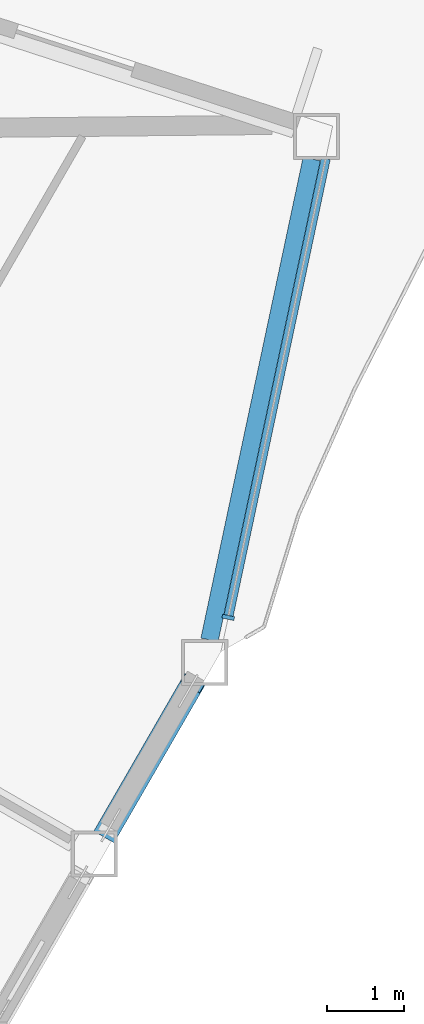
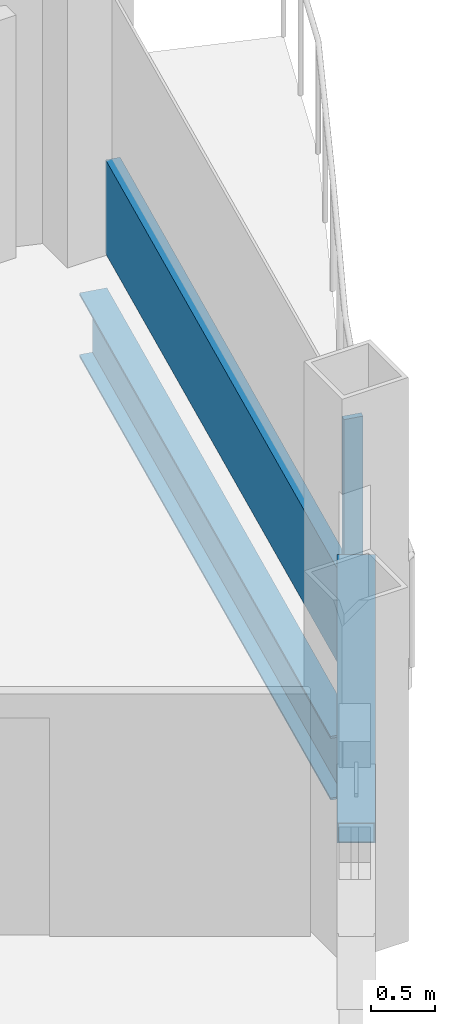
# One storey, part 8 of 27: 3 members, 1 beam, 1 element without a shape of its own.
"""IFC4 building model written with IfcOpenShell, lengths in metres."""

from ifc_helpers import new_model, si_unit, direction, frame, origin, origin_2d, place, context, subcontext, project, spatial, rectangle, hollow_rectangle, i_section, extrude, material, layer, layer_set, material_profile, profile_set, type_object, element, aggregate, save


model = new_model("IFC4")

# Units and contexts
model_context = context("Model", 3, precision=1e-05, world=origin(), true_north=direction((0.0, 1.0)))
body_context = subcontext(model_context, "Body", "Model", "MODEL_VIEW")
ifc_project = project(units=[si_unit("LENGTHUNIT", "METRE"), si_unit("AREAUNIT", "SQUARE_METRE"), si_unit("VOLUMEUNIT", "CUBIC_METRE"), si_unit("PLANEANGLEUNIT", "RADIAN"), si_unit("MASSUNIT", "GRAM", prefix="KILO")], contexts=[model_context])

# Site, building, storey
site_placement = place(None, origin())
site = spatial("IfcSite", under=ifc_project, at=site_placement, CompositionType="ELEMENT")
building_placement = place(site_placement, origin())
building = spatial("IfcBuilding", under=site, at=building_placement, Name="Cormorant Prow Tower", CompositionType="ELEMENT")
storey_placement = place(building_placement, frame((0.0, 0.0, 332.39990234375)))
storey = spatial("IfcBuildingStorey", under=building, at=storey_placement, Name="L74", CompositionType="ELEMENT", Elevation=332.39990234375)

# Member
ifc_material_1 = material(Name="Structural steel ASTM A500 Gr C", Category="steel")
ifc_material_profile_1 = material_profile(ifc_material_1, hollow_rectangle(XDim=0.3046875, YDim=0.3046875, WallThickness=0.01171875, at=origin_2d()), Name="HSS12x12x1/2")
ifc_profile_set_1 = profile_set([ifc_material_profile_1], Name="Structural steel ASTM A500 Gr C")
member_type_1 = type_object("IfcMemberType", Name="Chamfer brace HSS12x12x1/2", PredefinedType="BRACE", material=ifc_profile_set_1)
member_1_placement = place(storey_placement, frame((27.589599609375, -15.5654296875, 0.7412109375), z_axis=(0.456265706889, 0.790324476185, 0.408911759503), x_axis=(-0.866038851724, 0.499976706761, 0.0)))
element("IfcMember", 1, at=member_1_placement, inside=storey, type_object=member_type_1, Name="Chamfer brace BR3 at ESE01 L74", PredefinedType="BRACE", context=body_context, shape_type="SweptSolid", body=[
    extrude(hollow_rectangle(XDim=0.3046875, YDim=0.3046875, WallThickness=0.01171875, at=origin_2d()), origin(), (0.0, 0.0, 1.0), 2.459228515625),
])

# Curtain wall, members
ifc_material_2 = material(Name="Aluminium 6063-T6", Category="aluminium")
ifc_layer = layer(ifc_material_2, 0.159912109375)
ifc_layer_set = layer_set([ifc_layer], Name="Aluminium 6063-T6")
curtain_wall_type = type_object("IfcCurtainWallType", Name="Residential unitised curtain wall 160", PredefinedType="NOTDEFINED", material=ifc_layer_set)
curtain_wall_placement = place(storey_placement, origin())
curtain_wall = element("IfcCurtainWall", 2, at=curtain_wall_placement, inside=storey, type_object=curtain_wall_type, Name="Residential curtain wall ENE00", PredefinedType="NOTDEFINED")
ifc_material_3 = material(Name="Aluminium 6063-T6", Category="aluminium")
ifc_material_profile_2 = material_profile(ifc_material_3, rectangle(XDim=0.159912109375, YDim=0.050048828125, at=origin_2d()), Name="Residential mullion 50x160")
ifc_profile_set_2 = profile_set([ifc_material_profile_2], Name="Aluminium 6063-T6")
member_type_2 = type_object("IfcMemberType", Name="Residential mullion 50x160", PredefinedType="MULLION", material=ifc_profile_set_2)
member_2_placement = place(storey_placement, frame((29.175048828125, -12.7626953125, 0.0), z_axis=(0.0, 0.0, 1.0), x_axis=(-0.978147621523, 0.207911593013, 0.0)))
member_2 = element("IfcMember", 3, at=member_2_placement, type_object=member_type_2, Name="Residential mullion ENE00", PredefinedType="MULLION", context=body_context, shape_type="SweptSolid", body=[
    extrude(rectangle(XDim=0.159912109375, YDim=0.050048828125, at=origin_2d()), origin(), (0.0, 0.0, 1.0), 2.488037109375),
])
ifc_material_4 = material(Name="Terracotta", Category="masonry")
ifc_material_profile_3 = material_profile(ifc_material_4, rectangle(XDim=0.1201171875, YDim=0.89990234375, at=origin_2d()), Name="Residential terracotta spandrel rail 120x900")
ifc_profile_set_3 = profile_set([ifc_material_profile_3], Name="Terracotta")
member_type_3 = type_object("IfcMemberType", Name="Residential terracotta spandrel rail 120x900", PredefinedType="USERDEFINED", material=ifc_profile_set_3)
member_3_placement = place(storey_placement, frame((29.18017578125, -12.73828125, 0.4501953125), z_axis=(0.207912112226, 0.978147511161, 0.0), x_axis=(-0.978147511161, 0.207912112226, 0.0)))
member_3 = element("IfcMember", 4, at=member_3_placement, type_object=member_type_3, Name="Residential spandrel rail ENE00", ObjectType="TRANSOM", PredefinedType="USERDEFINED", context=body_context, shape_type="SweptSolid", body=[
    extrude(rectangle(XDim=0.1201171875, YDim=0.89990234375, at=origin_2d()), origin(), (0.0, 0.0, 1.0), 6.074462890625),
])
aggregate(curtain_wall, [member_2, member_3])

# Beam
ifc_material_5 = material(Name="Structural steel ASTM A992 Gr 50", Category="steel")
ifc_material_profile_4 = material_profile(ifc_material_5, i_section(OverallWidth=0.22900390625, OverallDepth=0.612060546875, WebThickness=0.011962890625, FlangeThickness=0.01953125, at=origin_2d()), Name="W24x84")
ifc_profile_set_4 = profile_set([ifc_material_profile_4], Name="Structural steel ASTM A992 Gr 50")
beam_type = type_object("IfcBeamType", Name="Spandrel beam W24x84", PredefinedType="SPANDREL", material=ifc_profile_set_4)
beam_placement = place(storey_placement, frame((28.931640625, -13.055908203125, -0.60595703125), z_axis=(0.20791262393, 0.978147402394, 0.0), x_axis=(-0.978147402394, 0.20791262393, 0.0)))
element("IfcBeam", 5, at=beam_placement, inside=storey, type_object=beam_type, Name="Spandrel beam SB3 ENE00-ENE01 L74", PredefinedType="SPANDREL", context=body_context, shape_type="SweptSolid", body=[
    extrude(i_section(OverallWidth=0.22900390625, OverallDepth=0.612060546875, WebThickness=0.011962890625, FlangeThickness=0.01953125, at=origin_2d()), origin(), (0.0, 0.0, 1.0), 6.396240234375),
])

save(model, "model.ifc")
